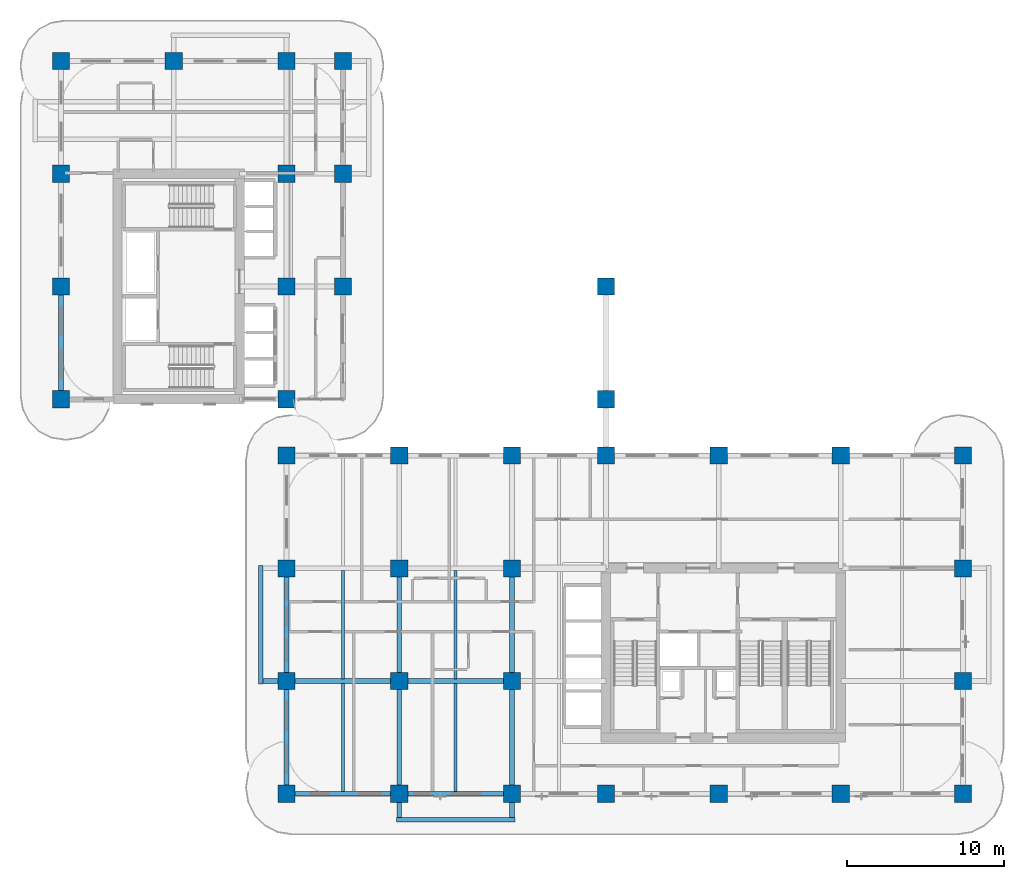
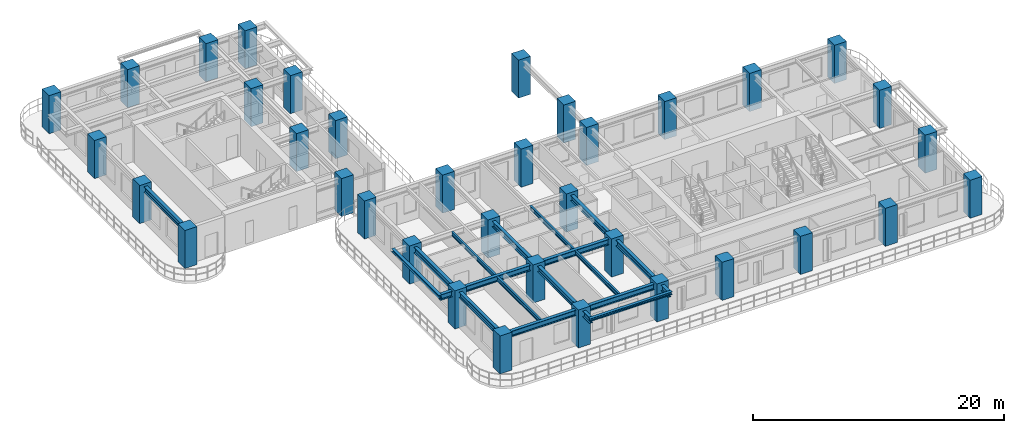
# One storey, part 1 of 19: 36 columns, 17 beams.
"""IFC4 building model written with IfcOpenShell, lengths in metres."""

from ifc_helpers import new_model, si_unit, derived_unit, direction, frame, origin, origin_2d, place, context, subcontext, project, spatial, rectangle, i_section, extrude, source, transform, mapped, material, material_profile, profile_set, type_object, type_shapes, element, save


model = new_model("IFC4")

# Units and contexts
model_context = context("Model", 3, precision=1e-05, world=origin(), true_north=direction((0.0, 1.0)))
body_context = subcontext(model_context, "Body", "Model", "MODEL_VIEW")
ifc_project = project(units=[si_unit("LENGTHUNIT", "METRE"), si_unit("AREAUNIT", "SQUARE_METRE"), si_unit("VOLUMEUNIT", "CUBIC_METRE"), si_unit("PLANEANGLEUNIT", "RADIAN"), si_unit("MASSUNIT", "GRAM", prefix="KILO"), si_unit("THERMODYNAMICTEMPERATUREUNIT", "KELVIN"), si_unit("POWERUNIT", "WATT"), derived_unit("THERMALTRANSMITTANCEUNIT", [(si_unit("POWERUNIT", "WATT"), 1), (si_unit("AREAUNIT", "SQUARE_METRE"), -1), (si_unit("THERMODYNAMICTEMPERATUREUNIT", "KELVIN"), -1)])], contexts=[model_context])

# Site, building, storey
site_placement = place(None, origin())
site = spatial("IfcSite", under=ifc_project, at=site_placement, CompositionType="ELEMENT")
building_placement = place(site_placement, origin())
building = spatial("IfcBuilding", under=site, at=building_placement, Name="Zahravan Archway Hotel and Residences", CompositionType="ELEMENT")
storey_placement = place(building_placement, frame((0.0, 0.0, 54.60009765625)))
storey = spatial("IfcBuildingStorey", under=building, at=storey_placement, Name="L12", CompositionType="ELEMENT", Elevation=54.60009765625)

# Columns
ifc_material_1 = material(Name="Concrete C70/85", Category="concrete")
ifc_material_profile_1 = material_profile(ifc_material_1, rectangle(XDim=1.10009765625, YDim=1.10009765625, at=origin_2d()), Name="RC 1100x1100", Category="concrete")
ifc_profile_set_1 = profile_set([ifc_material_profile_1], Name="Concrete C70/85")
column_type = type_object("IfcColumnType", Name="COL-RC-1100", PredefinedType="COLUMN", material=ifc_profile_set_1)
shared_shape_1 = source(origin(), body_context, "Body", "SweptSolid", [
    extrude(rectangle(XDim=1.10009765625, YDim=1.10009765625, at=origin_2d()), origin(), (0.0, 0.0, 1.0), 3.699951171875),
])
for number, where, z_axis, x_axis, name in (
    (1, (0.0, 25.199951171875, 0.0), (0.0, 0.0, 1.0), (1.0, 0.0, 0.0), "L12 Column 1-E"),
    (2, (0.0, 32.39990234375, 0.0), (0.0, 0.0, 1.0), (1.0, 0.0, 0.0), "L12 Column 1-F"),
    (3, (0.0, 39.60009765625, 0.0), (0.0, 0.0, 1.0), (1.0, 0.0, 0.0), "L12 Column 1-G"),
    (4, (0.0, 46.800048828125, 0.0), (0.0, 0.0, 1.0), (1.0, 0.0, 0.0), "L12 Column 1-H"),
    (5, (7.199951171875, 46.800048828125, 0.0), (0.0, 0.0, 1.0), (1.0, 0.0, 0.0), "L12 Column 2-H"),
    (6, (14.39990234375, 0.0, 0.0), (0.0, 0.0, 1.0), (1.0, 0.0, 0.0), "L12 Column 3-A"),
    (7, (14.39990234375, 7.199951171875, 0.0), (0.0, 0.0, 1.0), (1.0, 0.0, 0.0), "L12 Column 3-B"),
    (8, (14.39990234375, 14.39990234375, 0.0), (0.0, 0.0, 1.0), (1.0, 0.0, 0.0), "L12 Column 3-C"),
    (9, (14.39990234375, 21.60009765625, 0.0), (0.0, 0.0, 1.0), (1.0, 0.0, 0.0), "L12 Column 3-D"),
    (10, (14.39990234375, 25.199951171875, 0.0), (0.0, 0.0, 1.0), (1.0, 0.0, 0.0), "L12 Column 3-E"),
    (11, (14.39990234375, 32.39990234375, 0.0), (0.0, 0.0, 1.0), (1.0, 0.0, 0.0), "L12 Column 3-F"),
    (12, (14.39990234375, 39.60009765625, 0.0), (0.0, 0.0, 1.0), (1.0, 0.0, 0.0), "L12 Column 3-G"),
    (13, (14.39990234375, 46.800048828125, 0.0), (0.0, 0.0, 1.0), (1.0, 0.0, 0.0), "L12 Column 3-H"),
    (14, (21.60009765625, 0.0, 0.0), (0.0, 0.0, 1.0), (1.0, 0.0, 0.0), "L12 Column 4-A"),
    (15, (21.60009765625, 7.199951171875, 0.0), (0.0, 0.0, 1.0), (1.0, 0.0, 0.0), "L12 Column 4-B"),
    (16, (21.60009765625, 14.39990234375, 0.0), (0.0, 0.0, 1.0), (1.0, 0.0, 0.0), "L12 Column 4-C"),
    (17, (21.60009765625, 21.60009765625, 0.0), (0.0, 0.0, 1.0), (1.0, 0.0, 0.0), "L12 Column 4-D"),
    (18, (28.800048828125, 0.0, 0.0), (0.0, 0.0, 1.0), (1.0, 0.0, 0.0), "L12 Column 5-A"),
    (19, (28.800048828125, 7.199951171875, 0.0), (0.0, 0.0, 1.0), (1.0, 0.0, 0.0), "L12 Column 5-B"),
    (20, (28.800048828125, 14.39990234375, 0.0), (0.0, 0.0, 1.0), (1.0, 0.0, 0.0), "L12 Column 5-C"),
    (21, (28.800048828125, 21.60009765625, 0.0), (0.0, 0.0, 1.0), (1.0, 0.0, 0.0), "L12 Column 5-D"),
    (22, (34.800048828125, 0.0, 0.0), (0.0, 0.0, 1.0), (1.0, 0.0, 0.0), "L12 Column 6-A"),
    (23, (34.800048828125, 21.60009765625, 0.0), (0.0, 0.0, 1.0), (1.0, 0.0, 0.0), "L12 Column 6-D"),
    (24, (42.0, 0.0, 0.0), (0.0, 0.0, 1.0), (1.0, 0.0, 0.0), "L12 Column 7-A"),
    (25, (42.0, 21.60009765625, 0.0), (0.0, 0.0, 1.0), (1.0, 0.0, 0.0), "L12 Column 7-D"),
    (26, (49.800048828125, 0.0, 0.0), (0.0, 0.0, 1.0), (1.0, 0.0, 0.0), "L12 Column 8-A"),
    (27, (49.800048828125, 21.60009765625, 0.0), (0.0, 0.0, 1.0), (1.0, 0.0, 0.0), "L12 Column 8-D"),
    (28, (57.60009765625, 0.0, 0.0), (0.0, 0.0, 1.0), (1.0, 0.0, 0.0), "L12 Column 9-A"),
    (29, (57.60009765625, 7.199951171875, 0.0), (0.0, 0.0, 1.0), (1.0, 0.0, 0.0), "L12 Column 9-B"),
    (30, (57.60009765625, 14.39990234375, 0.0), (0.0, 0.0, 1.0), (1.0, 0.0, 0.0), "L12 Column 9-C"),
    (31, (57.60009765625, 21.60009765625, 0.0), (0.0, 0.0, 1.0), (1.0, 0.0, 0.0), "L12 Column 9-D"),
    (32, (18.0, 32.39990234375, 0.0), (0.0, 0.0, 1.0), (1.0, 0.0, 0.0), "L12 Column 3B-F"),
    (33, (18.0, 39.60009765625, 0.0), (0.0, 0.0, 1.0), (1.0, 0.0, 0.0), "L12 Column 3B-G"),
    (34, (18.0, 46.800048828125, 0.0), (0.0, 0.0, 1.0), (1.0, 0.0, 0.0), "L12 Column 3B-H"),
    (35, (34.800048828125, 25.199951171875, 0.0), (0.0, 0.0, 1.0), (1.0, 0.0, 0.0), "L12 Column 6-E"),
    (36, (34.800048828125, 32.39990234375, 0.0), (0.0, 0.0, 1.0), (1.0, 0.0, 0.0), "L12 Column 6-F"),
):
    element("IfcColumn", number, at=place(storey_placement, frame(where, z_axis=z_axis, x_axis=x_axis)), inside=storey, type_object=column_type, Name=name, PredefinedType="COLUMN", context=body_context, shape_type="MappedRepresentation", body=[
        mapped(shared_shape_1, transform((0.0, 0.0, 0.0), scale=1.0)),
    ])

# Beams
ifc_material_2 = material(Name="Structural Steel S355JR", Category="steel")
ifc_material_profile_2 = material_profile(ifc_material_2, i_section(OverallWidth=0.280029296875, OverallDepth=0.280029296875, WebThickness=0.010498046875, FlangeThickness=0.01806640625, FilletRadius=0.02392578125, at=origin_2d()), Name="HEB 280", Category="steel")
ifc_profile_set_2 = profile_set([ifc_material_profile_2], Name="Structural Steel S355JR")
beam_type_1 = type_object("IfcBeamType", Name="BM-SPN-HEB280", PredefinedType="SPANDREL", material=ifc_profile_set_2)
shared_shape_2 = source(origin(), body_context, "Body", "SweptSolid", [
    extrude(i_section(OverallWidth=0.280029296875, OverallDepth=0.280029296875, WebThickness=0.010498046875, FlangeThickness=0.01806640625, FilletRadius=0.02392578125, at=origin_2d()), origin(), (0.0, 0.0, 1.0), 7.56005859375),
])
type_shapes(beam_type_1, [shared_shape_2])
for number, where, z_axis, x_axis, name in (
    (37, (12.75, 7.02001953125, 3.309814453125), (0.0, 1.0, 0.0), (-1.0, 0.0, 0.0), "L13 WA Balcony Edge Spandrel"),
    (38, (21.419921875, -1.64990234375, 3.309814453125), (1.0, 0.0, 0.0), (0.0, 1.0, 0.0), "L13 SA Balcony Edge Spandrel"),
):
    element("IfcBeam", number, at=place(storey_placement, frame(where, z_axis=z_axis, x_axis=x_axis)), inside=storey, type_object=beam_type_1, Name=name, PredefinedType="SPANDREL", context=body_context, shape_type="MappedRepresentation", body=[
        mapped(shared_shape_2, transform((0.0, 0.0, 0.0), scale=1.0)),
    ])
ifc_material_profile_3 = material_profile(ifc_material_2, i_section(OverallWidth=0.300048828125, OverallDepth=0.550048828125, WebThickness=0.014892578125, FlangeThickness=0.029052734375, FilletRadius=0.027099609375, at=origin_2d()), Name="HEB 550", Category="steel")
ifc_profile_set_3 = profile_set([ifc_material_profile_3], Name="Structural Steel S355JR")
beam_type_2 = type_object("IfcBeamType", Name="BM-PRI-HEB550", PredefinedType="BEAM", material=ifc_profile_set_3)
shared_shape_3 = source(origin(), body_context, "Body", "SweptSolid", [
    extrude(i_section(OverallWidth=0.300048828125, OverallDepth=0.550048828125, WebThickness=0.014892578125, FlangeThickness=0.029052734375, FilletRadius=0.027099609375, at=origin_2d()), origin(), (0.0, 0.0, 1.0), 7.2001953125),
])
type_shapes(beam_type_2, [shared_shape_3])
beam_1_placement = place(storey_placement, frame((14.39990234375, 0.0, 3.1748046875), z_axis=(1.0, 0.0, 0.0), x_axis=(0.0, 1.0, 0.0)))
element("IfcBeam", 39, at=beam_1_placement, inside=storey, type_object=beam_type_2, Name="L12 Primary Girder EW-01", PredefinedType="BEAM", context=body_context, shape_type="MappedRepresentation", body=[
    mapped(shared_shape_3, transform((0.0, 0.0, 0.0), scale=1.0)),
])
shared_shape_4 = source(origin(), body_context, "Body", "SweptSolid", [
    extrude(i_section(OverallWidth=0.300048828125, OverallDepth=0.550048828125, WebThickness=0.014892578125, FlangeThickness=0.029052734375, FilletRadius=0.027099609375, at=origin_2d()), origin(), (0.0, 0.0, 1.0), 7.199951171875),
])
for number, where, z_axis, x_axis, name in (
    (40, (21.60009765625, 0.0, 3.1748046875), (1.0, 0.0, 0.0), (0.0, 1.0, 0.0), "L12 Primary Girder EW-02"),
    (41, (21.60009765625, 7.199951171875, 3.1748046875), (1.0, 0.0, 0.0), (0.0, 1.0, 0.0), "L12 Primary Girder EW-08"),
    (42, (0.0, 25.199951171875, 3.1748046875), (0.0, 1.0, 0.0), (-1.0, 0.0, 0.0), "L12 Primary Girder NS-27"),
    (43, (14.39990234375, 0.0, 3.1748046875), (0.0, 1.0, 0.0), (-1.0, 0.0, 0.0), "L12 Primary Girder NS-31"),
    (44, (14.39990234375, 7.199951171875, 3.1748046875), (0.0, 1.0, 0.0), (-1.0, 0.0, 0.0), "L12 Primary Girder NS-32"),
    (45, (21.60009765625, 7.199951171875, 3.1748046875), (0.0, 1.0, 0.0), (-1.0, 0.0, 0.0), "L12 Primary Girder NS-38"),
    (46, (28.800048828125, 7.199951171875, 3.1748046875), (0.0, 1.0, 0.0), (-1.0, 0.0, 0.0), "L12 Primary Girder NS-41"),
):
    element("IfcBeam", number, at=place(storey_placement, frame(where, z_axis=z_axis, x_axis=x_axis)), inside=storey, type_object=beam_type_2, Name=name, PredefinedType="BEAM", context=body_context, shape_type="MappedRepresentation", body=[
        mapped(shared_shape_4, transform((0.0, 0.0, 0.0), scale=1.0)),
    ])
shared_shape_5 = source(origin(), body_context, "Body", "SweptSolid", [
    extrude(i_section(OverallWidth=0.300048828125, OverallDepth=0.550048828125, WebThickness=0.014892578125, FlangeThickness=0.029052734375, FilletRadius=0.027099609375, at=origin_2d()), origin(), (0.0, 0.0, 1.0), 8.85009765625),
])
beam_2_placement = place(storey_placement, frame((12.75, 7.199951171875, 3.1748046875), z_axis=(1.0, 0.0, 0.0), x_axis=(0.0, 1.0, 0.0)))
element("IfcBeam", 47, at=beam_2_placement, inside=storey, type_object=beam_type_2, Name="L12 Primary Girder EW-07", PredefinedType="BEAM", context=body_context, shape_type="MappedRepresentation", body=[
    mapped(shared_shape_5, transform((0.0, 0.0, 0.0), scale=1.0)),
])
shared_shape_6 = source(origin(), body_context, "Body", "SweptSolid", [
    extrude(i_section(OverallWidth=0.300048828125, OverallDepth=0.550048828125, WebThickness=0.014892578125, FlangeThickness=0.029052734375, FilletRadius=0.027099609375, at=origin_2d()), origin(), (0.0, 0.0, 1.0), 8.849853515625),
])
for number, where, z_axis, x_axis, name in (
    (48, (21.60009765625, -1.64990234375, 3.1748046875), (0.0, 1.0, 0.0), (-1.0, 0.0, 0.0), "L12 Primary Girder NS-37"),
    (49, (28.800048828125, -1.64990234375, 3.1748046875), (0.0, 1.0, 0.0), (-1.0, 0.0, 0.0), "L12 Primary Girder NS-40"),
):
    element("IfcBeam", number, at=place(storey_placement, frame(where, z_axis=z_axis, x_axis=x_axis)), inside=storey, type_object=beam_type_2, Name=name, PredefinedType="BEAM", context=body_context, shape_type="MappedRepresentation", body=[
        mapped(shared_shape_6, transform((0.0, 0.0, 0.0), scale=1.0)),
    ])
ifc_material_profile_4 = material_profile(ifc_material_2, i_section(OverallWidth=0.179931640625, OverallDepth=0.39990234375, WebThickness=0.008544921875, FlangeThickness=0.013427734375, FilletRadius=0.02099609375, at=origin_2d()), Name="IPE 400", Category="steel")
ifc_profile_set_4 = profile_set([ifc_material_profile_4], Name="Structural Steel S355JR")
beam_type_3 = type_object("IfcBeamType", Name="BM-JST-IPE400", PredefinedType="JOIST", material=ifc_profile_set_4)
shared_shape_7 = source(origin(), body_context, "Body", "SweptSolid", [
    extrude(i_section(OverallWidth=0.179931640625, OverallDepth=0.39990234375, WebThickness=0.008544921875, FlangeThickness=0.013427734375, FilletRadius=0.02099609375, at=origin_2d()), origin(), (0.0, 0.0, 1.0), 6.904052734375),
])
type_shapes(beam_type_3, [shared_shape_7])
for number, where, z_axis, x_axis, name in (
    (50, (18.0, 0.14794921875, 3.25), (0.0, 1.0, 0.0), (-1.0, 0.0, 0.0), "L12 Composite Floor Joist 01"),
    (51, (25.199951171875, 0.14794921875, 3.25), (0.0, 1.0, 0.0), (-1.0, 0.0, 0.0), "L12 Composite Floor Joist 02"),
    (52, (18.0, 7.347900390625, 3.25), (0.0, 1.0, 0.0), (-1.0, 0.0, 0.0), "L12 Composite Floor Joist 05"),
    (53, (25.199951171875, 7.347900390625, 3.25), (0.0, 1.0, 0.0), (-1.0, 0.0, 0.0), "L12 Composite Floor Joist 06"),
):
    element("IfcBeam", number, at=place(storey_placement, frame(where, z_axis=z_axis, x_axis=x_axis)), inside=storey, type_object=beam_type_3, Name=name, PredefinedType="JOIST", context=body_context, shape_type="MappedRepresentation", body=[
        mapped(shared_shape_7, transform((0.0, 0.0, 0.0), scale=1.0)),
    ])

save(model, "model.ifc")
